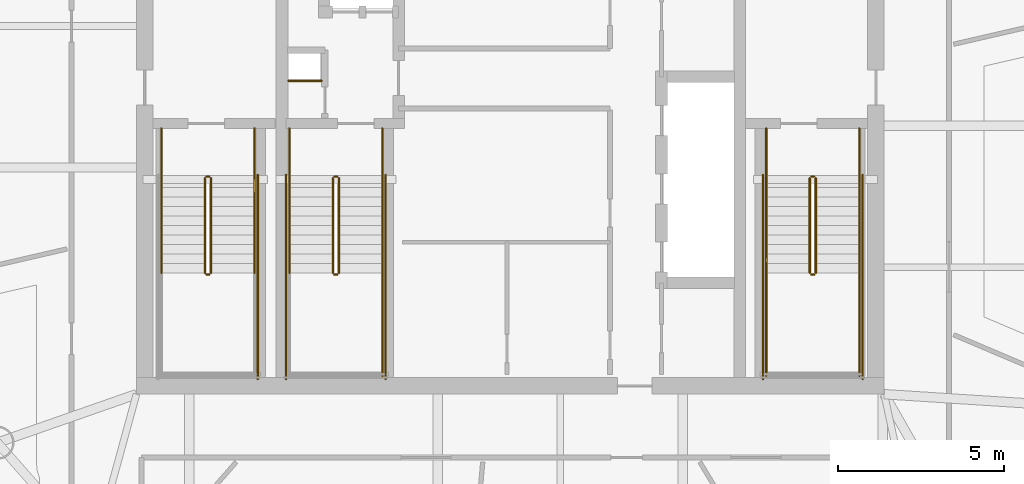
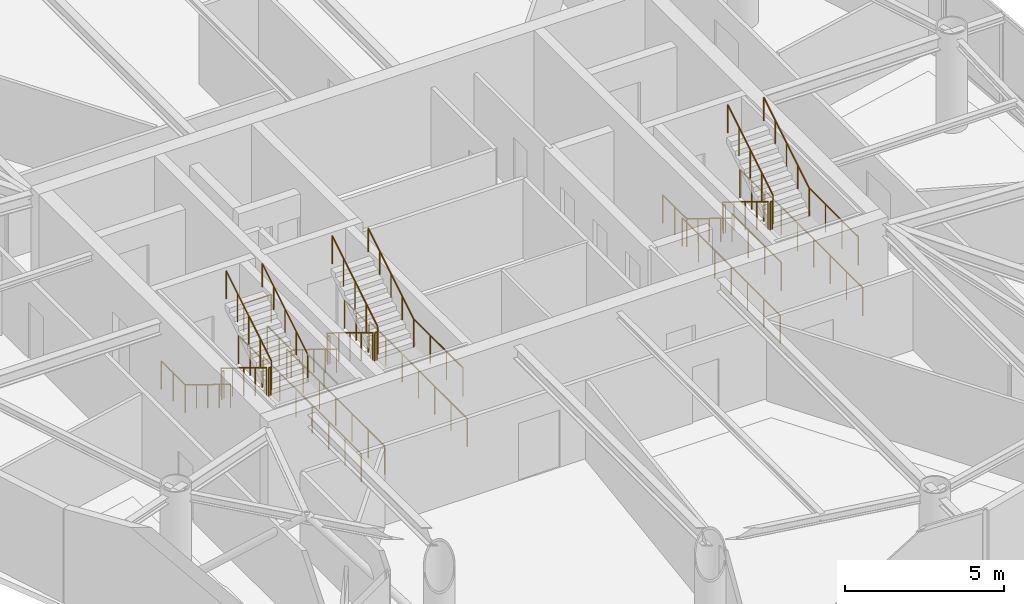
# One storey, part 17 of 18: 33 railings.
"""IFC4 building model written with IfcOpenShell, lengths in metres."""

from ifc_helpers import new_model, si_unit, direction, frame, origin, origin_2d, place, context, subcontext, project, spatial, circle, extrude, material, type_object, element, save


model = new_model("IFC4")

# Units and contexts
model_context = context("Model", 3, precision=1e-05, world=origin(), true_north=direction((0.0, 1.0)))
body_context = subcontext(model_context, "Body", "Model", "MODEL_VIEW")
ifc_project = project(units=[si_unit("LENGTHUNIT", "METRE"), si_unit("AREAUNIT", "SQUARE_METRE"), si_unit("VOLUMEUNIT", "CUBIC_METRE"), si_unit("PLANEANGLEUNIT", "RADIAN"), si_unit("MASSUNIT", "GRAM", prefix="KILO")], contexts=[model_context])

# Site, building, storey
site_placement = place(None, origin())
site = spatial("IfcSite", under=ifc_project, at=site_placement, CompositionType="ELEMENT")
building_placement = place(site_placement, origin())
building = spatial("IfcBuilding", under=site, at=building_placement, Name="Bramvorn Convention Spire", CompositionType="ELEMENT")
storey_placement = place(building_placement, frame((0.0, 0.0, 288.25)))
storey = spatial("IfcBuildingStorey", under=building, at=storey_placement, Name="L73", CompositionType="ELEMENT", Elevation=288.25)

# Railings
ifc_material_1 = material(Name="Painted Steel Balustrade & Guardrail", Category="steel")
railing_type_1 = type_object("IfcRailingType", Name="RL-STAIR-GUARD-1100", PredefinedType="GUARDRAIL", material=ifc_material_1)
railing_1_placement = place(storey_placement, frame((28.81005859375, 25.050048828125, 0.175048828125)))
element("IfcRailing", 1, at=railing_1_placement, inside=storey, type_object=railing_type_1, Name="L73 ST1 stair guard 1", PredefinedType="GUARDRAIL", context=body_context, shape_type="SweptSolid", body=[
    extrude(circle(Radius=0.02392578125, at=origin_2d()), frame((0.0, 0.0, 1.076171875), z_axis=(0.0, -0.852179220489, 0.52325001306), x_axis=(1.0, 0.0, 0.0)), (0.0, 0.0, 1.0), 3.344482421875),
    extrude(circle(Radius=0.02099609375, at=origin_2d()), origin(), (0.0, 0.0, 1.0), 1.052001953125),
    extrude(circle(Radius=0.02099609375, at=origin_2d()), frame((0.0, -0.71240234375, 0.4375)), (0.0, 0.0, 1.0), 1.052001953125),
    extrude(circle(Radius=0.02099609375, at=origin_2d()), frame((0.0, -1.425048828125, 0.875)), (0.0, 0.0, 1.0), 1.052001953125),
    extrude(circle(Radius=0.02099609375, at=origin_2d()), frame((0.0, -2.1376953125, 1.3125)), (0.0, 0.0, 1.0), 1.052001953125),
    extrude(circle(Radius=0.02099609375, at=origin_2d()), frame((0.0, -2.85009765625, 1.75)), (0.0, 0.0, 1.0), 1.052001953125),
])
railing_2_placement = place(storey_placement, frame((28.860107421875, 22.14990234375, 1.925048828125)))
element("IfcRailing", 2, at=railing_2_placement, inside=storey, type_object=railing_type_1, Name="L73 ST1 stair guard 2", PredefinedType="GUARDRAIL", context=body_context, shape_type="SweptSolid", body=[
    extrude(circle(Radius=0.02392578125, at=origin_2d()), frame((0.0, 0.0, 1.076171875), z_axis=(1.0, 0.0, 0.0), x_axis=(0.0, 1.0, 0.0)), (0.0, 0.0, 1.0), 0.079833984375),
    extrude(circle(Radius=0.02099609375, at=origin_2d()), origin(), (0.0, 0.0, 1.0), 1.052001953125),
    extrude(circle(Radius=0.02099609375, at=origin_2d()), frame((0.079833984375, 0.0, 0.0)), (0.0, 0.0, 1.0), 1.052001953125),
])
railing_3_placement = place(storey_placement, frame((28.989990234375, 22.199951171875, 2.10009765625)))
element("IfcRailing", 3, at=railing_3_placement, inside=storey, type_object=railing_type_1, Name="L73 ST1 stair guard 6", PredefinedType="GUARDRAIL", context=body_context, shape_type="SweptSolid", body=[
    extrude(circle(Radius=0.02392578125, at=origin_2d()), frame((0.0, 0.0, 1.076171875), z_axis=(0.0, 0.852179220489, 0.52325001306), x_axis=(-1.0, 0.0, 0.0)), (0.0, 0.0, 1.0), 3.344482421875),
    extrude(circle(Radius=0.02099609375, at=origin_2d()), origin(), (0.0, 0.0, 1.0), 1.052001953125),
    extrude(circle(Radius=0.02099609375, at=origin_2d()), frame((0.0, 0.71240234375, 0.4375)), (0.0, 0.0, 1.0), 1.052001953125),
    extrude(circle(Radius=0.02099609375, at=origin_2d()), frame((0.0, 1.425048828125, 0.875)), (0.0, 0.0, 1.0), 1.052001953125),
    extrude(circle(Radius=0.02099609375, at=origin_2d()), frame((0.0, 2.1376953125, 1.3125)), (0.0, 0.0, 1.0), 1.052001953125),
    extrude(circle(Radius=0.02099609375, at=origin_2d()), frame((0.0, 2.85009765625, 1.75)), (0.0, 0.0, 1.0), 1.052001953125),
])
railing_4_placement = place(storey_placement, frame((28.860107421875, 25.10009765625, 0.0)))
element("IfcRailing", 4, at=railing_4_placement, inside=storey, type_object=railing_type_1, Name="L73 ST1 stair guard 7", PredefinedType="GUARDRAIL", context=body_context, shape_type="SweptSolid", body=[
    extrude(circle(Radius=0.02392578125, at=origin_2d()), frame((0.0, 0.0, 1.076171875), z_axis=(1.0, 0.0, 0.0), x_axis=(0.0, 1.0, 0.0)), (0.0, 0.0, 1.0), 0.079833984375),
    extrude(circle(Radius=0.02099609375, at=origin_2d()), origin(), (0.0, 0.0, 1.0), 1.052001953125),
    extrude(circle(Radius=0.02099609375, at=origin_2d()), frame((0.079833984375, 0.0, 0.0)), (0.0, 0.0, 1.0), 1.052001953125),
])
for number, where, name in (
    (5, (27.5, 26.550048828125, 0.0), "L73 ST1 stair guard 8"),
    (6, (30.300048828125, 26.550048828125, 0.0), "L73 ST1 stair guard 9"),
):
    element("IfcRailing", number, at=place(storey_placement, frame(where)), inside=storey, type_object=railing_type_1, Name=name, PredefinedType="GUARDRAIL", context=body_context, shape_type="SweptSolid", body=[
        extrude(circle(Radius=0.02392578125, at=origin_2d()), frame((0.0, 0.0, 1.076171875), z_axis=(0.0, -1.0, 0.0), x_axis=(1.0, 0.0, 0.0)), (0.0, 0.0, 1.0), 1.5),
        extrude(circle(Radius=0.02099609375, at=origin_2d()), origin(), (0.0, 0.0, 1.0), 1.052001953125),
        extrude(circle(Radius=0.02099609375, at=origin_2d()), frame((0.0, -0.75, 0.0)), (0.0, 0.0, 1.0), 1.052001953125),
        extrude(circle(Radius=0.02099609375, at=origin_2d()), frame((0.0, -1.5, 0.0)), (0.0, 0.0, 1.0), 1.052001953125),
    ])
railing_5_placement = place(storey_placement, frame((30.39990234375, 25.14990234375, 0.0)))
element("IfcRailing", 7, at=railing_5_placement, inside=storey, type_object=railing_type_1, Name="L73 ST1 stair guard 11", PredefinedType="GUARDRAIL", context=body_context, shape_type="SweptSolid", body=[
    extrude(circle(Radius=0.02392578125, at=origin_2d()), frame((0.0, 0.0, 1.076171875), z_axis=(0.0, -1.0, 0.0), x_axis=(1.0, 0.0, 0.0)), (0.0, 0.0, 1.0), 6.14990234375),
    extrude(circle(Radius=0.02099609375, at=origin_2d()), origin(), (0.0, 0.0, 1.0), 1.052001953125),
    extrude(circle(Radius=0.02099609375, at=origin_2d()), frame((0.0, -1.02490234375, 0.0)), (0.0, 0.0, 1.0), 1.052001953125),
    extrude(circle(Radius=0.02099609375, at=origin_2d()), frame((0.0, -2.050048828125, 0.0)), (0.0, 0.0, 1.0), 1.052001953125),
    extrude(circle(Radius=0.02099609375, at=origin_2d()), frame((0.0, -3.074951171875, 0.0)), (0.0, 0.0, 1.0), 1.052001953125),
    extrude(circle(Radius=0.02099609375, at=origin_2d()), frame((0.0, -4.099853515625, 0.0)), (0.0, 0.0, 1.0), 1.052001953125),
    extrude(circle(Radius=0.02099609375, at=origin_2d()), frame((0.0, -5.125, 0.0)), (0.0, 0.0, 1.0), 1.052001953125),
    extrude(circle(Radius=0.02099609375, at=origin_2d()), frame((0.0, -6.14990234375, 0.0)), (0.0, 0.0, 1.0), 1.052001953125),
])
railing_6_placement = place(storey_placement, frame((47.010009765625, 25.050048828125, 0.175048828125)))
element("IfcRailing", 8, at=railing_6_placement, inside=storey, type_object=railing_type_1, Name="L73 ST2 stair guard 1", PredefinedType="GUARDRAIL", context=body_context, shape_type="SweptSolid", body=[
    extrude(circle(Radius=0.02392578125, at=origin_2d()), frame((0.0, 0.0, 1.076171875), z_axis=(0.0, -0.852179220489, 0.52325001306), x_axis=(1.0, 0.0, 0.0)), (0.0, 0.0, 1.0), 3.344482421875),
    extrude(circle(Radius=0.02099609375, at=origin_2d()), origin(), (0.0, 0.0, 1.0), 1.052001953125),
    extrude(circle(Radius=0.02099609375, at=origin_2d()), frame((0.0, -0.71240234375, 0.4375)), (0.0, 0.0, 1.0), 1.052001953125),
    extrude(circle(Radius=0.02099609375, at=origin_2d()), frame((0.0, -1.425048828125, 0.875)), (0.0, 0.0, 1.0), 1.052001953125),
    extrude(circle(Radius=0.02099609375, at=origin_2d()), frame((0.0, -2.1376953125, 1.3125)), (0.0, 0.0, 1.0), 1.052001953125),
    extrude(circle(Radius=0.02099609375, at=origin_2d()), frame((0.0, -2.85009765625, 1.75)), (0.0, 0.0, 1.0), 1.052001953125),
])
railing_7_placement = place(storey_placement, frame((47.06005859375, 22.14990234375, 1.925048828125)))
element("IfcRailing", 9, at=railing_7_placement, inside=storey, type_object=railing_type_1, Name="L73 ST2 stair guard 2", PredefinedType="GUARDRAIL", context=body_context, shape_type="SweptSolid", body=[
    extrude(circle(Radius=0.02392578125, at=origin_2d()), frame((0.0, 0.0, 1.076171875), z_axis=(1.0, 0.0, 0.0), x_axis=(0.0, 1.0, 0.0)), (0.0, 0.0, 1.0), 0.079833984375),
    extrude(circle(Radius=0.02099609375, at=origin_2d()), origin(), (0.0, 0.0, 1.0), 1.052001953125),
    extrude(circle(Radius=0.02099609375, at=origin_2d()), frame((0.079833984375, 0.0, 0.0)), (0.0, 0.0, 1.0), 1.052001953125),
])
for number, where, name in (
    (10, (45.699951171875, 22.199951171875, 1.925048828125), "L73 ST2 stair guard 3"),
    (11, (48.5, 22.199951171875, 1.925048828125), "L73 ST2 stair guard 4"),
):
    element("IfcRailing", number, at=place(storey_placement, frame(where)), inside=storey, type_object=railing_type_1, Name=name, PredefinedType="GUARDRAIL", context=body_context, shape_type="SweptSolid", body=[
        extrude(circle(Radius=0.02392578125, at=origin_2d()), frame((0.0, 0.0, 1.076171875), z_axis=(0.0, -1.0, 0.0), x_axis=(1.0, 0.0, 0.0)), (0.0, 0.0, 1.0), 3.099853515625),
        extrude(circle(Radius=0.02099609375, at=origin_2d()), origin(), (0.0, 0.0, 1.0), 1.052001953125),
        extrude(circle(Radius=0.02099609375, at=origin_2d()), frame((0.0, -1.033203125, 0.0)), (0.0, 0.0, 1.0), 1.052001953125),
        extrude(circle(Radius=0.02099609375, at=origin_2d()), frame((0.0, -2.066650390625, 0.0)), (0.0, 0.0, 1.0), 1.052001953125),
        extrude(circle(Radius=0.02099609375, at=origin_2d()), frame((0.0, -3.099853515625, 0.0)), (0.0, 0.0, 1.0), 1.052001953125),
    ])
railing_8_placement = place(storey_placement, frame((47.18994140625, 22.199951171875, 2.10009765625)))
element("IfcRailing", 12, at=railing_8_placement, inside=storey, type_object=railing_type_1, Name="L73 ST2 stair guard 6", PredefinedType="GUARDRAIL", context=body_context, shape_type="SweptSolid", body=[
    extrude(circle(Radius=0.02392578125, at=origin_2d()), frame((0.0, 0.0, 1.076171875), z_axis=(0.0, 0.852179220489, 0.52325001306), x_axis=(-1.0, 0.0, 0.0)), (0.0, 0.0, 1.0), 3.344482421875),
    extrude(circle(Radius=0.02099609375, at=origin_2d()), origin(), (0.0, 0.0, 1.0), 1.052001953125),
    extrude(circle(Radius=0.02099609375, at=origin_2d()), frame((0.0, 0.71240234375, 0.4375)), (0.0, 0.0, 1.0), 1.052001953125),
    extrude(circle(Radius=0.02099609375, at=origin_2d()), frame((0.0, 1.425048828125, 0.875)), (0.0, 0.0, 1.0), 1.052001953125),
    extrude(circle(Radius=0.02099609375, at=origin_2d()), frame((0.0, 2.1376953125, 1.3125)), (0.0, 0.0, 1.0), 1.052001953125),
    extrude(circle(Radius=0.02099609375, at=origin_2d()), frame((0.0, 2.85009765625, 1.75)), (0.0, 0.0, 1.0), 1.052001953125),
])
railing_9_placement = place(storey_placement, frame((47.06005859375, 25.10009765625, 0.0)))
element("IfcRailing", 13, at=railing_9_placement, inside=storey, type_object=railing_type_1, Name="L73 ST2 stair guard 7", PredefinedType="GUARDRAIL", context=body_context, shape_type="SweptSolid", body=[
    extrude(circle(Radius=0.02392578125, at=origin_2d()), frame((0.0, 0.0, 1.076171875), z_axis=(1.0, 0.0, 0.0), x_axis=(0.0, 1.0, 0.0)), (0.0, 0.0, 1.0), 0.079833984375),
    extrude(circle(Radius=0.02099609375, at=origin_2d()), origin(), (0.0, 0.0, 1.0), 1.052001953125),
    extrude(circle(Radius=0.02099609375, at=origin_2d()), frame((0.079833984375, 0.0, 0.0)), (0.0, 0.0, 1.0), 1.052001953125),
])
for number, where, name in (
    (14, (45.699951171875, 26.550048828125, 0.0), "L73 ST2 stair guard 8"),
    (15, (48.5, 26.550048828125, 0.0), "L73 ST2 stair guard 9"),
):
    element("IfcRailing", number, at=place(storey_placement, frame(where)), inside=storey, type_object=railing_type_1, Name=name, PredefinedType="GUARDRAIL", context=body_context, shape_type="SweptSolid", body=[
        extrude(circle(Radius=0.02392578125, at=origin_2d()), frame((0.0, 0.0, 1.076171875), z_axis=(0.0, -1.0, 0.0), x_axis=(1.0, 0.0, 0.0)), (0.0, 0.0, 1.0), 1.5),
        extrude(circle(Radius=0.02099609375, at=origin_2d()), origin(), (0.0, 0.0, 1.0), 1.052001953125),
        extrude(circle(Radius=0.02099609375, at=origin_2d()), frame((0.0, -0.75, 0.0)), (0.0, 0.0, 1.0), 1.052001953125),
        extrude(circle(Radius=0.02099609375, at=origin_2d()), frame((0.0, -1.5, 0.0)), (0.0, 0.0, 1.0), 1.052001953125),
    ])
for number, where, name in (
    (16, (45.60009765625, 25.14990234375, 0.0), "L73 ST2 stair guard 10"),
    (17, (48.60009765625, 25.14990234375, 0.0), "L73 ST2 stair guard 11"),
):
    element("IfcRailing", number, at=place(storey_placement, frame(where)), inside=storey, type_object=railing_type_1, Name=name, PredefinedType="GUARDRAIL", context=body_context, shape_type="SweptSolid", body=[
        extrude(circle(Radius=0.02392578125, at=origin_2d()), frame((0.0, 0.0, 1.076171875), z_axis=(0.0, -1.0, 0.0), x_axis=(1.0, 0.0, 0.0)), (0.0, 0.0, 1.0), 6.14990234375),
        extrude(circle(Radius=0.02099609375, at=origin_2d()), origin(), (0.0, 0.0, 1.0), 1.052001953125),
        extrude(circle(Radius=0.02099609375, at=origin_2d()), frame((0.0, -1.02490234375, 0.0)), (0.0, 0.0, 1.0), 1.052001953125),
        extrude(circle(Radius=0.02099609375, at=origin_2d()), frame((0.0, -2.050048828125, 0.0)), (0.0, 0.0, 1.0), 1.052001953125),
        extrude(circle(Radius=0.02099609375, at=origin_2d()), frame((0.0, -3.074951171875, 0.0)), (0.0, 0.0, 1.0), 1.052001953125),
        extrude(circle(Radius=0.02099609375, at=origin_2d()), frame((0.0, -4.099853515625, 0.0)), (0.0, 0.0, 1.0), 1.052001953125),
        extrude(circle(Radius=0.02099609375, at=origin_2d()), frame((0.0, -5.125, 0.0)), (0.0, 0.0, 1.0), 1.052001953125),
        extrude(circle(Radius=0.02099609375, at=origin_2d()), frame((0.0, -6.14990234375, 0.0)), (0.0, 0.0, 1.0), 1.052001953125),
    ])
railing_10_placement = place(storey_placement, frame((32.659912109375, 25.050048828125, 0.175048828125)))
element("IfcRailing", 18, at=railing_10_placement, inside=storey, type_object=railing_type_1, Name="L73 ST3 stair guard 1", PredefinedType="GUARDRAIL", context=body_context, shape_type="SweptSolid", body=[
    extrude(circle(Radius=0.02392578125, at=origin_2d()), frame((0.0, 0.0, 1.076171875), z_axis=(0.0, -0.852179220489, 0.52325001306), x_axis=(1.0, 0.0, 0.0)), (0.0, 0.0, 1.0), 3.344482421875),
    extrude(circle(Radius=0.02099609375, at=origin_2d()), origin(), (0.0, 0.0, 1.0), 1.052001953125),
    extrude(circle(Radius=0.02099609375, at=origin_2d()), frame((0.0, -0.71240234375, 0.4375)), (0.0, 0.0, 1.0), 1.052001953125),
    extrude(circle(Radius=0.02099609375, at=origin_2d()), frame((0.0, -1.425048828125, 0.875)), (0.0, 0.0, 1.0), 1.052001953125),
    extrude(circle(Radius=0.02099609375, at=origin_2d()), frame((0.0, -2.1376953125, 1.3125)), (0.0, 0.0, 1.0), 1.052001953125),
    extrude(circle(Radius=0.02099609375, at=origin_2d()), frame((0.0, -2.85009765625, 1.75)), (0.0, 0.0, 1.0), 1.052001953125),
])
railing_11_placement = place(storey_placement, frame((32.7099609375, 22.14990234375, 1.925048828125)))
element("IfcRailing", 19, at=railing_11_placement, inside=storey, type_object=railing_type_1, Name="L73 ST3 stair guard 2", PredefinedType="GUARDRAIL", context=body_context, shape_type="SweptSolid", body=[
    extrude(circle(Radius=0.02392578125, at=origin_2d()), frame((0.0, 0.0, 1.076171875), z_axis=(1.0, 0.0, 0.0), x_axis=(0.0, 1.0, 0.0)), (0.0, 0.0, 1.0), 0.080078125),
    extrude(circle(Radius=0.02099609375, at=origin_2d()), origin(), (0.0, 0.0, 1.0), 1.052001953125),
    extrude(circle(Radius=0.02099609375, at=origin_2d()), frame((0.080078125, 0.0, 0.0)), (0.0, 0.0, 1.0), 1.052001953125),
])
railing_12_placement = place(storey_placement, frame((34.14990234375, 22.199951171875, 1.925048828125)))
element("IfcRailing", 20, at=railing_12_placement, inside=storey, type_object=railing_type_1, Name="L73 ST3 stair guard 4", PredefinedType="GUARDRAIL", context=body_context, shape_type="SweptSolid", body=[
    extrude(circle(Radius=0.02392578125, at=origin_2d()), frame((0.0, 0.0, 1.076171875), z_axis=(0.0, -1.0, 0.0), x_axis=(1.0, 0.0, 0.0)), (0.0, 0.0, 1.0), 3.099853515625),
    extrude(circle(Radius=0.02099609375, at=origin_2d()), origin(), (0.0, 0.0, 1.0), 1.052001953125),
    extrude(circle(Radius=0.02099609375, at=origin_2d()), frame((0.0, -1.033203125, 0.0)), (0.0, 0.0, 1.0), 1.052001953125),
    extrude(circle(Radius=0.02099609375, at=origin_2d()), frame((0.0, -2.066650390625, 0.0)), (0.0, 0.0, 1.0), 1.052001953125),
    extrude(circle(Radius=0.02099609375, at=origin_2d()), frame((0.0, -3.099853515625, 0.0)), (0.0, 0.0, 1.0), 1.052001953125),
])
railing_13_placement = place(storey_placement, frame((32.840087890625, 22.199951171875, 2.10009765625)))
element("IfcRailing", 21, at=railing_13_placement, inside=storey, type_object=railing_type_1, Name="L73 ST3 stair guard 6", PredefinedType="GUARDRAIL", context=body_context, shape_type="SweptSolid", body=[
    extrude(circle(Radius=0.02392578125, at=origin_2d()), frame((0.0, 0.0, 1.076171875), z_axis=(0.0, 0.852179220489, 0.52325001306), x_axis=(-1.0, 0.0, 0.0)), (0.0, 0.0, 1.0), 3.344482421875),
    extrude(circle(Radius=0.02099609375, at=origin_2d()), origin(), (0.0, 0.0, 1.0), 1.052001953125),
    extrude(circle(Radius=0.02099609375, at=origin_2d()), frame((0.0, 0.71240234375, 0.4375)), (0.0, 0.0, 1.0), 1.052001953125),
    extrude(circle(Radius=0.02099609375, at=origin_2d()), frame((0.0, 1.425048828125, 0.875)), (0.0, 0.0, 1.0), 1.052001953125),
    extrude(circle(Radius=0.02099609375, at=origin_2d()), frame((0.0, 2.1376953125, 1.3125)), (0.0, 0.0, 1.0), 1.052001953125),
    extrude(circle(Radius=0.02099609375, at=origin_2d()), frame((0.0, 2.85009765625, 1.75)), (0.0, 0.0, 1.0), 1.052001953125),
])
railing_14_placement = place(storey_placement, frame((32.7099609375, 25.10009765625, 0.0)))
element("IfcRailing", 22, at=railing_14_placement, inside=storey, type_object=railing_type_1, Name="L73 ST3 stair guard 7", PredefinedType="GUARDRAIL", context=body_context, shape_type="SweptSolid", body=[
    extrude(circle(Radius=0.02392578125, at=origin_2d()), frame((0.0, 0.0, 1.076171875), z_axis=(1.0, 0.0, 0.0), x_axis=(0.0, 1.0, 0.0)), (0.0, 0.0, 1.0), 0.080078125),
    extrude(circle(Radius=0.02099609375, at=origin_2d()), origin(), (0.0, 0.0, 1.0), 1.052001953125),
    extrude(circle(Radius=0.02099609375, at=origin_2d()), frame((0.080078125, 0.0, 0.0)), (0.0, 0.0, 1.0), 1.052001953125),
])
for number, where, name in (
    (23, (31.35009765625, 26.550048828125, 0.0), "L73 ST3 stair guard 8"),
    (24, (34.14990234375, 26.550048828125, 0.0), "L73 ST3 stair guard 9"),
):
    element("IfcRailing", number, at=place(storey_placement, frame(where)), inside=storey, type_object=railing_type_1, Name=name, PredefinedType="GUARDRAIL", context=body_context, shape_type="SweptSolid", body=[
        extrude(circle(Radius=0.02392578125, at=origin_2d()), frame((0.0, 0.0, 1.076171875), z_axis=(0.0, -1.0, 0.0), x_axis=(1.0, 0.0, 0.0)), (0.0, 0.0, 1.0), 1.5),
        extrude(circle(Radius=0.02099609375, at=origin_2d()), origin(), (0.0, 0.0, 1.0), 1.052001953125),
        extrude(circle(Radius=0.02099609375, at=origin_2d()), frame((0.0, -0.75, 0.0)), (0.0, 0.0, 1.0), 1.052001953125),
        extrude(circle(Radius=0.02099609375, at=origin_2d()), frame((0.0, -1.5, 0.0)), (0.0, 0.0, 1.0), 1.052001953125),
    ])
for number, where, name in (
    (25, (31.25, 25.14990234375, 0.0), "L73 ST3 stair guard 10"),
    (26, (34.25, 25.14990234375, 0.0), "L73 ST3 stair guard 11"),
):
    element("IfcRailing", number, at=place(storey_placement, frame(where)), inside=storey, type_object=railing_type_1, Name=name, PredefinedType="GUARDRAIL", context=body_context, shape_type="SweptSolid", body=[
        extrude(circle(Radius=0.02392578125, at=origin_2d()), frame((0.0, 0.0, 1.076171875), z_axis=(0.0, -1.0, 0.0), x_axis=(1.0, 0.0, 0.0)), (0.0, 0.0, 1.0), 6.14990234375),
        extrude(circle(Radius=0.02099609375, at=origin_2d()), origin(), (0.0, 0.0, 1.0), 1.052001953125),
        extrude(circle(Radius=0.02099609375, at=origin_2d()), frame((0.0, -1.02490234375, 0.0)), (0.0, 0.0, 1.0), 1.052001953125),
        extrude(circle(Radius=0.02099609375, at=origin_2d()), frame((0.0, -2.050048828125, 0.0)), (0.0, 0.0, 1.0), 1.052001953125),
        extrude(circle(Radius=0.02099609375, at=origin_2d()), frame((0.0, -3.074951171875, 0.0)), (0.0, 0.0, 1.0), 1.052001953125),
        extrude(circle(Radius=0.02099609375, at=origin_2d()), frame((0.0, -4.099853515625, 0.0)), (0.0, 0.0, 1.0), 1.052001953125),
        extrude(circle(Radius=0.02099609375, at=origin_2d()), frame((0.0, -5.125, 0.0)), (0.0, 0.0, 1.0), 1.052001953125),
        extrude(circle(Radius=0.02099609375, at=origin_2d()), frame((0.0, -6.14990234375, 0.0)), (0.0, 0.0, 1.0), 1.052001953125),
    ])
railing_15_placement = place(storey_placement, frame((31.320068359375, 27.97998046875, 0.0)))
element("IfcRailing", 27, at=railing_15_placement, inside=storey, type_object=railing_type_1, Name="L73 Telecom riser shaft opening safety guardrail", PredefinedType="GUARDRAIL", context=body_context, shape_type="SweptSolid", body=[
    extrude(circle(Radius=0.02392578125, at=origin_2d()), frame((0.0, 0.0, 1.076171875), z_axis=(1.0, 0.0, 0.0), x_axis=(0.0, 1.0, 0.0)), (0.0, 0.0, 1.0), 1.0),
    extrude(circle(Radius=0.02099609375, at=origin_2d()), origin(), (0.0, 0.0, 1.0), 1.052001953125),
    extrude(circle(Radius=0.02099609375, at=origin_2d()), frame((1.0, 0.0, 0.0)), (0.0, 0.0, 1.0), 1.052001953125),
])
ifc_material_2 = material(Name="Brushed Bronze Tubular Handrail", Category="aluminium")
railing_type_2 = type_object("IfcRailingType", Name="RL-STAIR-HR-920", PredefinedType="HANDRAIL", material=ifc_material_2)
railing_16_placement = place(storey_placement, frame((27.5, 25.050048828125, 0.175048828125)))
element("IfcRailing", 28, at=railing_16_placement, inside=storey, type_object=railing_type_2, Name="L73 ST1 stair handrail 1", PredefinedType="HANDRAIL", context=body_context, shape_type="SweptSolid", body=[
    extrude(circle(Radius=0.02392578125, at=origin_2d()), frame((0.0, 0.0, 0.89599609375), z_axis=(0.0, -0.852179220489, 0.52325001306), x_axis=(1.0, 0.0, 0.0)), (0.0, 0.0, 1.0), 3.344482421875),
    extrude(circle(Radius=0.02099609375, at=origin_2d()), origin(), (0.0, 0.0, 1.0), 0.871826171875),
    extrude(circle(Radius=0.02099609375, at=origin_2d()), frame((0.0, -0.71240234375, 0.4375)), (0.0, 0.0, 1.0), 0.871826171875),
    extrude(circle(Radius=0.02099609375, at=origin_2d()), frame((0.0, -1.425048828125, 0.875)), (0.0, 0.0, 1.0), 0.871826171875),
    extrude(circle(Radius=0.02099609375, at=origin_2d()), frame((0.0, -2.1376953125, 1.3125)), (0.0, 0.0, 1.0), 0.871826171875),
    extrude(circle(Radius=0.02099609375, at=origin_2d()), frame((0.0, -2.85009765625, 1.75)), (0.0, 0.0, 1.0), 0.871826171875),
])
railing_17_placement = place(storey_placement, frame((30.300048828125, 22.199951171875, 2.10009765625)))
element("IfcRailing", 29, at=railing_17_placement, inside=storey, type_object=railing_type_2, Name="L73 ST1 stair handrail 2", PredefinedType="HANDRAIL", context=body_context, shape_type="SweptSolid", body=[
    extrude(circle(Radius=0.02392578125, at=origin_2d()), frame((0.0, 0.0, 0.89599609375), z_axis=(0.0, 0.852179220489, 0.52325001306), x_axis=(-1.0, 0.0, 0.0)), (0.0, 0.0, 1.0), 3.344482421875),
    extrude(circle(Radius=0.02099609375, at=origin_2d()), origin(), (0.0, 0.0, 1.0), 0.871826171875),
    extrude(circle(Radius=0.02099609375, at=origin_2d()), frame((0.0, 0.71240234375, 0.4375)), (0.0, 0.0, 1.0), 0.871826171875),
    extrude(circle(Radius=0.02099609375, at=origin_2d()), frame((0.0, 1.425048828125, 0.875)), (0.0, 0.0, 1.0), 0.871826171875),
    extrude(circle(Radius=0.02099609375, at=origin_2d()), frame((0.0, 2.1376953125, 1.3125)), (0.0, 0.0, 1.0), 0.871826171875),
    extrude(circle(Radius=0.02099609375, at=origin_2d()), frame((0.0, 2.85009765625, 1.75)), (0.0, 0.0, 1.0), 0.871826171875),
])
railing_18_placement = place(storey_placement, frame((45.699951171875, 25.050048828125, 0.175048828125)))
element("IfcRailing", 30, at=railing_18_placement, inside=storey, type_object=railing_type_2, Name="L73 ST2 stair handrail 1", PredefinedType="HANDRAIL", context=body_context, shape_type="SweptSolid", body=[
    extrude(circle(Radius=0.02392578125, at=origin_2d()), frame((0.0, 0.0, 0.89599609375), z_axis=(0.0, -0.852179220489, 0.52325001306), x_axis=(1.0, 0.0, 0.0)), (0.0, 0.0, 1.0), 3.344482421875),
    extrude(circle(Radius=0.02099609375, at=origin_2d()), origin(), (0.0, 0.0, 1.0), 0.871826171875),
    extrude(circle(Radius=0.02099609375, at=origin_2d()), frame((0.0, -0.71240234375, 0.4375)), (0.0, 0.0, 1.0), 0.871826171875),
    extrude(circle(Radius=0.02099609375, at=origin_2d()), frame((0.0, -1.425048828125, 0.875)), (0.0, 0.0, 1.0), 0.871826171875),
    extrude(circle(Radius=0.02099609375, at=origin_2d()), frame((0.0, -2.1376953125, 1.3125)), (0.0, 0.0, 1.0), 0.871826171875),
    extrude(circle(Radius=0.02099609375, at=origin_2d()), frame((0.0, -2.85009765625, 1.75)), (0.0, 0.0, 1.0), 0.871826171875),
])
railing_19_placement = place(storey_placement, frame((48.5, 22.199951171875, 2.10009765625)))
element("IfcRailing", 31, at=railing_19_placement, inside=storey, type_object=railing_type_2, Name="L73 ST2 stair handrail 2", PredefinedType="HANDRAIL", context=body_context, shape_type="SweptSolid", body=[
    extrude(circle(Radius=0.02392578125, at=origin_2d()), frame((0.0, 0.0, 0.89599609375), z_axis=(0.0, 0.852179220489, 0.52325001306), x_axis=(-1.0, 0.0, 0.0)), (0.0, 0.0, 1.0), 3.344482421875),
    extrude(circle(Radius=0.02099609375, at=origin_2d()), origin(), (0.0, 0.0, 1.0), 0.871826171875),
    extrude(circle(Radius=0.02099609375, at=origin_2d()), frame((0.0, 0.71240234375, 0.4375)), (0.0, 0.0, 1.0), 0.871826171875),
    extrude(circle(Radius=0.02099609375, at=origin_2d()), frame((0.0, 1.425048828125, 0.875)), (0.0, 0.0, 1.0), 0.871826171875),
    extrude(circle(Radius=0.02099609375, at=origin_2d()), frame((0.0, 2.1376953125, 1.3125)), (0.0, 0.0, 1.0), 0.871826171875),
    extrude(circle(Radius=0.02099609375, at=origin_2d()), frame((0.0, 2.85009765625, 1.75)), (0.0, 0.0, 1.0), 0.871826171875),
])
railing_20_placement = place(storey_placement, frame((31.35009765625, 25.050048828125, 0.175048828125)))
element("IfcRailing", 32, at=railing_20_placement, inside=storey, type_object=railing_type_2, Name="L73 ST3 stair handrail 1", PredefinedType="HANDRAIL", context=body_context, shape_type="SweptSolid", body=[
    extrude(circle(Radius=0.02392578125, at=origin_2d()), frame((0.0, 0.0, 0.89599609375), z_axis=(0.0, -0.852179220489, 0.52325001306), x_axis=(1.0, 0.0, 0.0)), (0.0, 0.0, 1.0), 3.344482421875),
    extrude(circle(Radius=0.02099609375, at=origin_2d()), origin(), (0.0, 0.0, 1.0), 0.871826171875),
    extrude(circle(Radius=0.02099609375, at=origin_2d()), frame((0.0, -0.71240234375, 0.4375)), (0.0, 0.0, 1.0), 0.871826171875),
    extrude(circle(Radius=0.02099609375, at=origin_2d()), frame((0.0, -1.425048828125, 0.875)), (0.0, 0.0, 1.0), 0.871826171875),
    extrude(circle(Radius=0.02099609375, at=origin_2d()), frame((0.0, -2.1376953125, 1.3125)), (0.0, 0.0, 1.0), 0.871826171875),
    extrude(circle(Radius=0.02099609375, at=origin_2d()), frame((0.0, -2.85009765625, 1.75)), (0.0, 0.0, 1.0), 0.871826171875),
])
railing_21_placement = place(storey_placement, frame((34.14990234375, 22.199951171875, 2.10009765625)))
element("IfcRailing", 33, at=railing_21_placement, inside=storey, type_object=railing_type_2, Name="L73 ST3 stair handrail 2", PredefinedType="HANDRAIL", context=body_context, shape_type="SweptSolid", body=[
    extrude(circle(Radius=0.02392578125, at=origin_2d()), frame((0.0, 0.0, 0.89599609375), z_axis=(0.0, 0.852179220489, 0.52325001306), x_axis=(-1.0, 0.0, 0.0)), (0.0, 0.0, 1.0), 3.344482421875),
    extrude(circle(Radius=0.02099609375, at=origin_2d()), origin(), (0.0, 0.0, 1.0), 0.871826171875),
    extrude(circle(Radius=0.02099609375, at=origin_2d()), frame((0.0, 0.71240234375, 0.4375)), (0.0, 0.0, 1.0), 0.871826171875),
    extrude(circle(Radius=0.02099609375, at=origin_2d()), frame((0.0, 1.425048828125, 0.875)), (0.0, 0.0, 1.0), 0.871826171875),
    extrude(circle(Radius=0.02099609375, at=origin_2d()), frame((0.0, 2.1376953125, 1.3125)), (0.0, 0.0, 1.0), 0.871826171875),
    extrude(circle(Radius=0.02099609375, at=origin_2d()), frame((0.0, 2.85009765625, 1.75)), (0.0, 0.0, 1.0), 0.871826171875),
])

save(model, "model.ifc")
